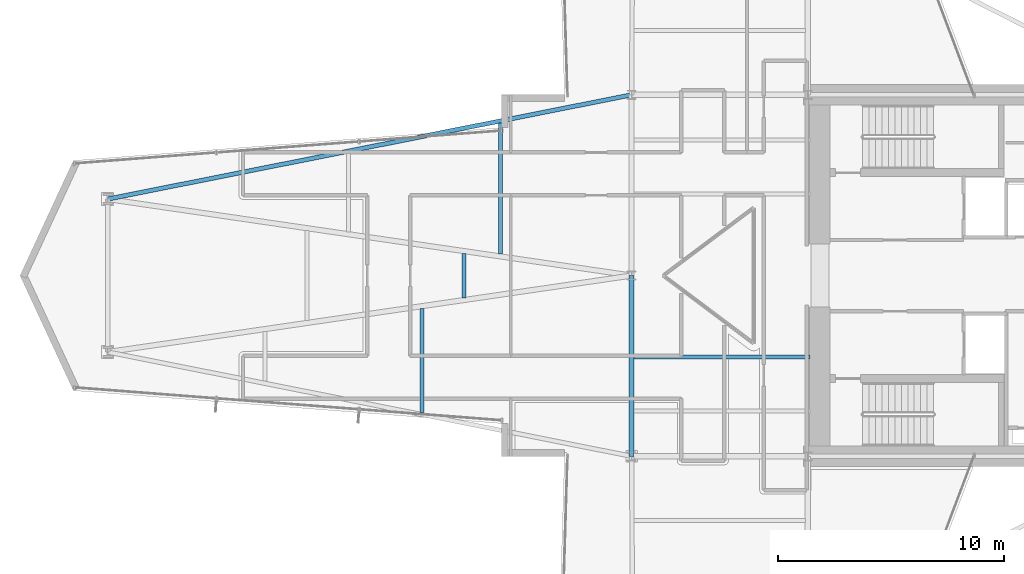
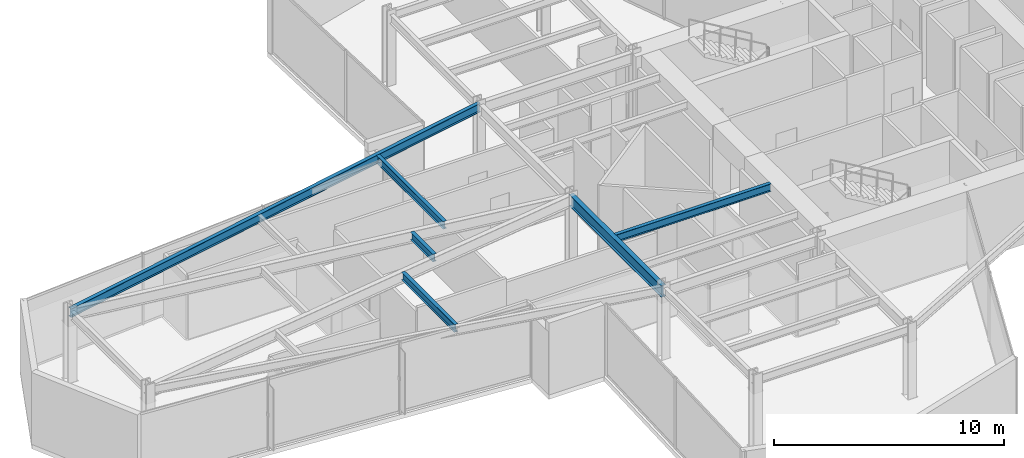
# One storey, part 11 of 30: 6 beams.
"""IFC4 building model written with IfcOpenShell, lengths in metres."""

from ifc_helpers import new_model, si_unit, direction, frame, origin, origin_2d, place, context, subcontext, project, spatial, i_section, extrude, material, material_profile, profile_set, type_object, element, save


model = new_model("IFC4")

# Units and contexts
model_context = context("Model", 3, precision=1e-05, world=origin(), true_north=direction((0.0, 1.0)))
body_context = subcontext(model_context, "Body", "Model", "MODEL_VIEW")
ifc_project = project(units=[si_unit("LENGTHUNIT", "METRE"), si_unit("AREAUNIT", "SQUARE_METRE"), si_unit("VOLUMEUNIT", "CUBIC_METRE"), si_unit("PLANEANGLEUNIT", "RADIAN"), si_unit("MASSUNIT", "GRAM", prefix="KILO")], contexts=[model_context])

# Site, building, storey
site_placement = place(None, origin())
site = spatial("IfcSite", under=ifc_project, at=site_placement, CompositionType="ELEMENT")
building_placement = place(site_placement, origin())
building = spatial("IfcBuilding", under=site, at=building_placement, Name="Veymaron Broadcast Tower", CompositionType="ELEMENT")
storey_placement = place(building_placement, frame((0.0, 0.0, 37.800048828125)))
storey = spatial("IfcBuildingStorey", under=building, at=storey_placement, Name="L07", CompositionType="ELEMENT", Elevation=37.800048828125)

# Beams
ifc_material = material(Name="Structural steel ASTM A992 Gr 50", Category="steel")
ifc_material_profile_1 = material_profile(ifc_material, i_section(OverallWidth=0.22998046875, OverallDepth=0.616943359375, WebThickness=0.01318359375, FlangeThickness=0.022216796875, at=origin_2d()), Name="W610X140")
ifc_profile_set_1 = profile_set([ifc_material_profile_1], Name="Structural steel ASTM A992 Gr 50")
beam_type_1 = type_object("IfcBeamType", Name="BM-FG1", PredefinedType="BEAM", material=ifc_profile_set_1)
beam_1_placement = place(storey_placement, frame((31.199951171875, 16.0, 3.50146484375), z_axis=(0.0, 1.0, 0.0), x_axis=(-1.0, 0.0, 0.0)))
element("IfcBeam", 1, at=beam_1_placement, inside=storey, type_object=beam_type_1, Name="L07 primary structural floor girder", PredefinedType="BEAM", context=body_context, shape_type="SweptSolid", body=[
    extrude(i_section(OverallWidth=0.22998046875, OverallDepth=0.616943359375, WebThickness=0.01318359375, FlangeThickness=0.022216796875, at=origin_2d()), origin(), (0.0, 0.0, 1.0), 8.0),
])
ifc_material_profile_2 = material_profile(ifc_material, i_section(OverallWidth=0.177978515625, OverallDepth=0.406982421875, WebThickness=0.0078125, FlangeThickness=0.0126953125, at=origin_2d()), Name="W410X60")
ifc_profile_set_2 = profile_set([ifc_material_profile_2], Name="Structural steel ASTM A992 Gr 50")
beam_type_2 = type_object("IfcBeamType", Name="BM-JS1", PredefinedType="JOIST", material=ifc_profile_set_2)
beam_2_placement = place(storey_placement, frame((21.9228515625, 17.946044921875, 3.6064453125), z_axis=(0.0, 1.0, 0.0), x_axis=(-1.0, 0.0, 0.0)))
element("IfcBeam", 2, at=beam_2_placement, inside=storey, type_object=beam_type_2, Name="L07 Arm-A secondary joist 2S", PredefinedType="JOIST", context=body_context, shape_type="SweptSolid", body=[
    extrude(i_section(OverallWidth=0.177978515625, OverallDepth=0.406982421875, WebThickness=0.0078125, FlangeThickness=0.0126953125, at=origin_2d()), origin(), (0.0, 0.0, 1.0), 4.599853515625),
])
beam_3_placement = place(storey_placement, frame((23.7783203125, 23.016845703125, 3.6064453125), z_axis=(0.0, 1.0, 0.0), x_axis=(-1.0, 0.0, 0.0)))
element("IfcBeam", 3, at=beam_3_placement, inside=storey, type_object=beam_type_2, Name="L07 Arm-A secondary joist 2M", PredefinedType="JOIST", context=body_context, shape_type="SweptSolid", body=[
    extrude(i_section(OverallWidth=0.177978515625, OverallDepth=0.406982421875, WebThickness=0.0078125, FlangeThickness=0.0126953125, at=origin_2d()), origin(), (0.0, 0.0, 1.0), 1.96630859375),
])
beam_4_placement = place(storey_placement, frame((25.401611328125, 24.9462890625, 3.6064453125), z_axis=(0.0, 1.0, 0.0), x_axis=(-1.0, 0.0, 0.0)))
element("IfcBeam", 4, at=beam_4_placement, inside=storey, type_object=beam_type_2, Name="L07 Arm-A secondary joist 2N", PredefinedType="JOIST", context=body_context, shape_type="SweptSolid", body=[
    extrude(i_section(OverallWidth=0.177978515625, OverallDepth=0.406982421875, WebThickness=0.0078125, FlangeThickness=0.0126953125, at=origin_2d()), origin(), (0.0, 0.0, 1.0), 5.7998046875),
])
beam_5_placement = place(storey_placement, frame((31.300048828125, 20.39990234375, 3.6064453125), z_axis=(1.0, 0.0, 0.0), x_axis=(0.0, 1.0, 0.0)))
element("IfcBeam", 5, at=beam_5_placement, inside=storey, type_object=beam_type_2, Name="L07 Hub secondary joist 2", PredefinedType="JOIST", context=body_context, shape_type="SweptSolid", body=[
    extrude(i_section(OverallWidth=0.177978515625, OverallDepth=0.406982421875, WebThickness=0.0078125, FlangeThickness=0.0126953125, at=origin_2d()), origin(), (0.0, 0.0, 1.0), 7.800048828125),
])
ifc_material_profile_3 = material_profile(ifc_material, i_section(OverallWidth=0.19091796875, OverallDepth=0.4599609375, WebThickness=0.010009765625, FlangeThickness=0.01611328125, at=origin_2d()), Name="W460X82")
ifc_profile_set_3 = profile_set([ifc_material_profile_3], Name="Structural steel ASTM A992 Gr 50")
beam_type_3 = type_object("IfcBeamType", Name="BM-SP1", PredefinedType="SPANDREL", material=ifc_profile_set_3)
beam_6_placement = place(storey_placement, frame((8.007080078125, 27.385009765625, 3.579833984375), z_axis=(0.980771997416, 0.195157088225, 0.0), x_axis=(-0.195157088225, 0.980771997416, 0.0)))
element("IfcBeam", 6, at=beam_6_placement, inside=storey, type_object=beam_type_3, Name="L07 primary structural floor girder", PredefinedType="SPANDREL", context=body_context, shape_type="SweptSolid", body=[
    extrude(i_section(OverallWidth=0.19091796875, OverallDepth=0.4599609375, WebThickness=0.010009765625, FlangeThickness=0.01611328125, at=origin_2d()), origin(), (0.0, 0.0, 1.0), 23.6474609375),
])

save(model, "model.ifc")
